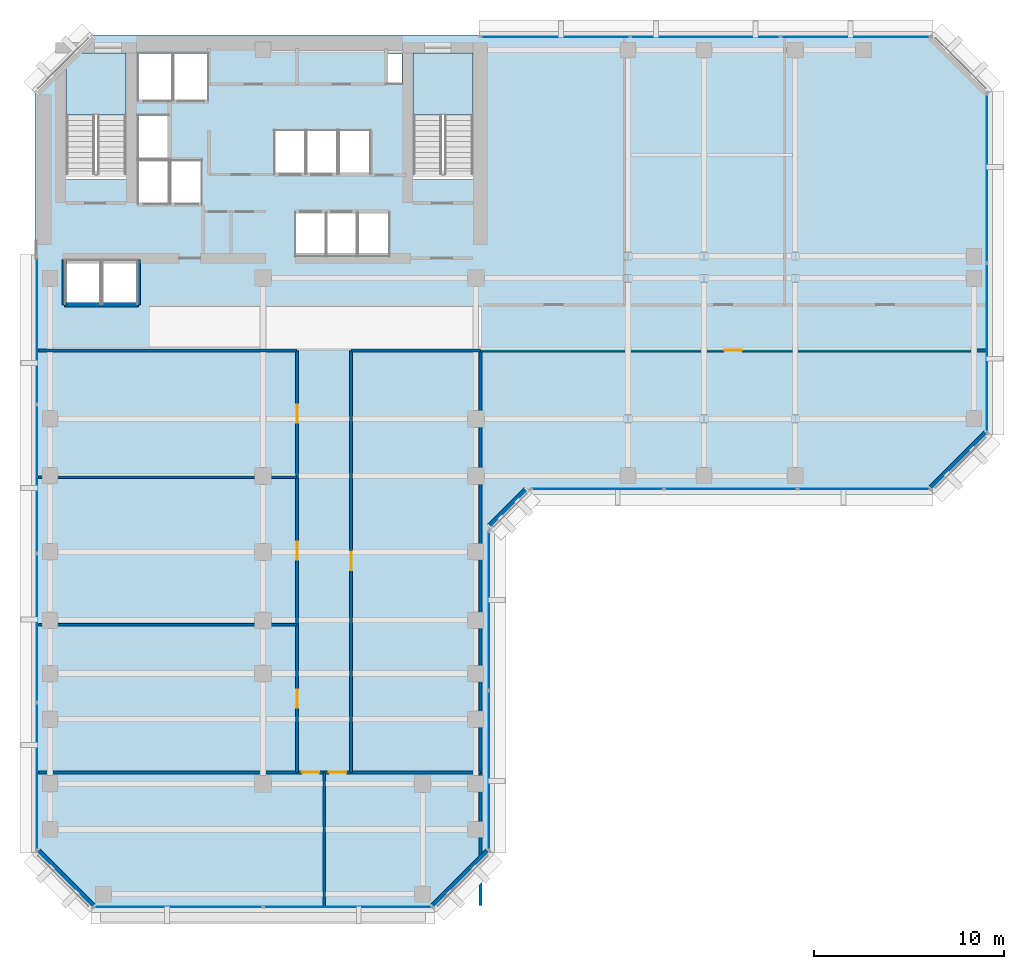
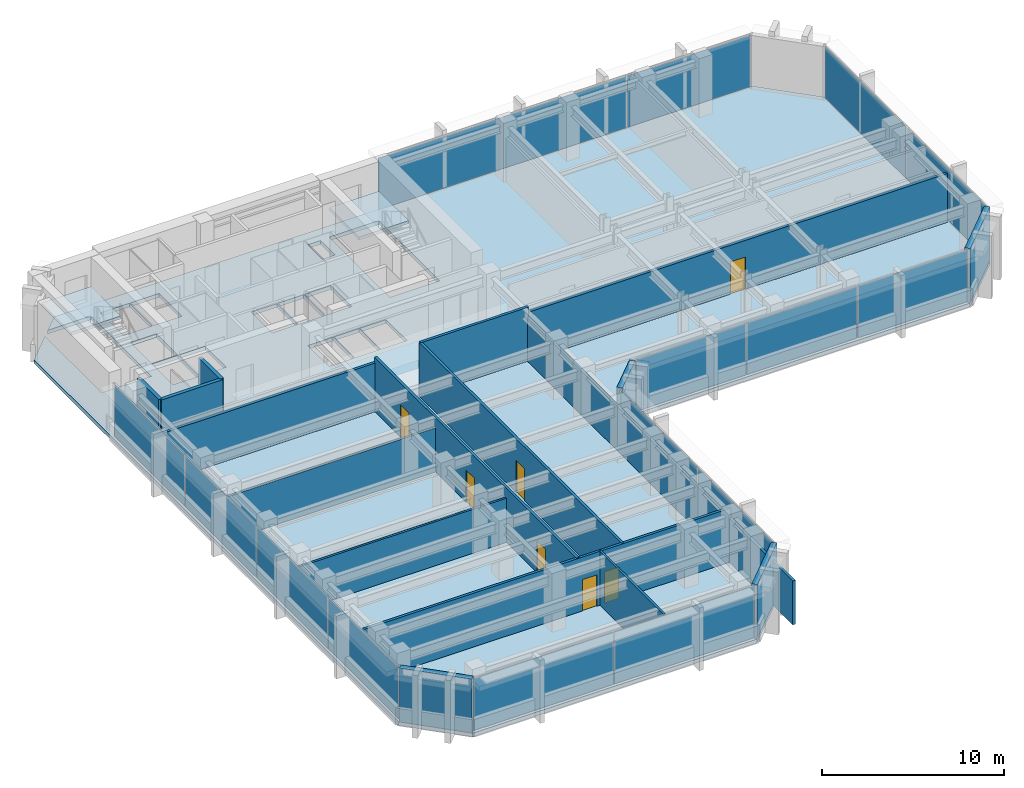
# One storey, part 6 of 11: 17 walls, 16 plates, 7 doors, 3 slabs, 7 openings, 8 elements without a shape of their own.
"""IFC4 building model written with IfcOpenShell, lengths in metres."""

from ifc_helpers import new_model, si_unit, direction, frame, frame_2d, origin, origin_2d, place, context, subcontext, project, spatial, polyline, rectangle, outline, extrude, material, layer, layer_set, type_object, element, fill, aggregate, save


model = new_model("IFC4")

# Units and contexts
model_context = context("Model", 3, precision=1e-05, world=origin(), true_north=direction((0.0, 1.0)))
body_context = subcontext(model_context, "Body", "Model", "MODEL_VIEW")
ifc_project = project(units=[si_unit("LENGTHUNIT", "METRE"), si_unit("AREAUNIT", "SQUARE_METRE"), si_unit("VOLUMEUNIT", "CUBIC_METRE"), si_unit("PLANEANGLEUNIT", "RADIAN"), si_unit("MASSUNIT", "GRAM", prefix="KILO")], contexts=[model_context])

# Site, building, storey
site_placement = place(None, origin())
site = spatial("IfcSite", under=ifc_project, at=site_placement, CompositionType="ELEMENT")
building_placement = place(site_placement, origin())
building = spatial("IfcBuilding", under=site, at=building_placement, Name="Kefirva Bronze Tower", CompositionType="ELEMENT")
storey_placement = place(building_placement, frame((0.0, 0.0, 170.610107421875)))
storey = spatial("IfcBuildingStorey", under=building, at=storey_placement, Name="L41", CompositionType="ELEMENT", Elevation=170.610107421875)

# Stair, slab
ifc_material_1 = material(Name="Concrete C40/50", Category="concrete")
stair_type = type_object("IfcStairType", Name="RC Dogleg Protected Stair 24R", PredefinedType="HALF_TURN_STAIR", material=ifc_material_1)
stair_1_placement = place(storey_placement, origin())
stair_1 = element("IfcStair", 1, at=stair_1_placement, inside=storey, type_object=stair_type, Name="L41 Protected Exit Stair 1", PredefinedType="HALF_TURN_STAIR")
ifc_layer_1 = layer(ifc_material_1, 0.199951171875, Name="Concrete C40/50")
ifc_layer_set_1 = layer_set([ifc_layer_1], Name="Concrete C40/50")
slab_type_1 = type_object("IfcSlabType", Name="RC Stair Landing Slab 200mm", PredefinedType="LANDING", material=ifc_layer_set_1)
slab_1_placement = place(storey_placement, frame((0.0, 0.0, 1.77978515625)))
slab_1 = element("IfcSlab", 2, at=slab_1_placement, type_object=slab_type_1, Name="ST-1 landing 1", PredefinedType="LANDING", context=body_context, shape_type="SweptSolid", body=[
    extrude(outline(polyline([(4.800048828125, 41.780029296875), (4.800048828125, 45.050048828125), (1.64990234375, 45.050048828125), (1.64990234375, 41.780029296875), (4.800048828125, 41.780029296875)])), origin(), (0.0, 0.0, 1.0), 0.2001953125),
])
aggregate(stair_1, [slab_1])

stair_2_placement = place(storey_placement, origin())
stair_2 = element("IfcStair", 3, at=stair_2_placement, inside=storey, type_object=stair_type, Name="L41 Protected Exit Stair 2", PredefinedType="HALF_TURN_STAIR")
slab_2_placement = place(storey_placement, frame((0.0, 0.0, 1.77978515625)))
slab_2 = element("IfcSlab", 4, at=slab_2_placement, type_object=slab_type_1, Name="ST-2 landing 1", PredefinedType="LANDING", context=body_context, shape_type="SweptSolid", body=[
    extrude(outline(polyline([(23.050048828125, 41.780029296875), (23.050048828125, 45.050048828125), (19.89990234375, 45.050048828125), (19.89990234375, 41.780029296875), (23.050048828125, 41.780029296875)])), origin(), (0.0, 0.0, 1.0), 0.2001953125),
])
aggregate(stair_2, [slab_2])

# Slab
ifc_layer_2 = layer(ifc_material_1, 0.25, Name="Concrete C40/50")
ifc_layer_set_2 = layer_set([ifc_layer_2], Name="Concrete C40/50")
slab_type_2 = type_object("IfcSlabType", Name="RC Tower Floor Slab 250mm", PredefinedType="FLOOR", material=ifc_layer_set_2)
slab_3_placement = place(storey_placement, frame((0.0, 0.0, -0.25)))
element("IfcSlab", 5, at=slab_3_placement, inside=storey, type_object=slab_type_2, Name="L41 Structural Floor Slab", PredefinedType="FLOOR", context=body_context, shape_type="SweptSolid", body=[
    extrude(outline(polyline([(0.0, 3.0), (0.0, 43.0), (1.64990234375, 44.64990234375), (1.64990234375, 38.39990234375), (4.800048828125, 38.39990234375), (4.800048828125, 45.050048828125), (2.050048828125, 45.050048828125), (3.0, 46.0), (47.199951171875, 46.0), (50.199951171875, 43.0), (50.199951171875, 25.0), (47.199951171875, 22.0), (26.0, 22.0), (24.0, 20.0), (24.0, 3.0), (21.0, 0.0), (3.0, 0.0), (0.0, 3.0)]), holes=[polyline([(23.050048828125, 38.39990234375), (23.050048828125, 45.050048828125), (19.89990234375, 45.050048828125), (19.89990234375, 38.39990234375), (23.050048828125, 38.39990234375)]), polyline([(19.320068359375, 43.419921875), (19.320068359375, 45.0), (18.52001953125, 45.0), (18.52001953125, 43.419921875), (19.320068359375, 43.419921875)]), polyline([(18.64990234375, 34.35009765625), (18.64990234375, 36.64990234375), (17.0, 36.64990234375), (17.0, 34.35009765625), (18.64990234375, 34.35009765625)]), polyline([(17.64990234375, 38.679931640625), (17.64990234375, 40.97998046875), (16.0, 40.97998046875), (16.0, 38.679931640625), (17.64990234375, 38.679931640625)]), polyline([(16.949951171875, 34.35009765625), (16.949951171875, 36.64990234375), (15.35009765625, 36.64990234375), (15.35009765625, 34.35009765625), (16.949951171875, 34.35009765625)]), polyline([(15.929931640625, 38.679931640625), (15.929931640625, 40.97998046875), (14.300048828125, 40.97998046875), (14.300048828125, 38.679931640625), (15.929931640625, 38.679931640625)]), polyline([(15.300048828125, 34.35009765625), (15.300048828125, 36.64990234375), (13.699951171875, 36.64990234375), (13.699951171875, 34.35009765625), (15.300048828125, 34.35009765625)]), polyline([(14.22998046875, 38.679931640625), (14.22998046875, 40.97998046875), (12.60009765625, 40.97998046875), (12.60009765625, 38.679931640625), (14.22998046875, 38.679931640625)]), polyline([(9.1201171875, 42.550048828125), (9.1201171875, 45.050048828125), (7.300048828125, 45.050048828125), (7.300048828125, 42.550048828125), (9.1201171875, 42.550048828125)]), polyline([(8.780029296875, 37.10009765625), (8.780029296875, 39.39990234375), (7.139892578125, 39.39990234375), (7.139892578125, 37.10009765625), (8.780029296875, 37.10009765625)]), polyline([(7.239990234375, 42.550048828125), (7.239990234375, 45.050048828125), (5.419921875, 45.050048828125), (5.419921875, 42.550048828125), (7.239990234375, 42.550048828125)]), polyline([(7.06005859375, 37.10009765625), (7.06005859375, 39.39990234375), (5.419921875, 39.39990234375), (5.419921875, 37.10009765625), (7.06005859375, 37.10009765625)]), polyline([(7.06005859375, 39.47998046875), (7.06005859375, 41.780029296875), (5.419921875, 41.780029296875), (5.419921875, 39.47998046875), (7.06005859375, 39.47998046875)]), polyline([(5.39990234375, 31.85009765625), (5.39990234375, 34.14990234375), (3.550048828125, 34.14990234375), (3.550048828125, 31.85009765625), (5.39990234375, 31.85009765625)]), polyline([(3.449951171875, 31.85009765625), (3.449951171875, 34.14990234375), (1.60009765625, 34.14990234375), (1.60009765625, 31.85009765625), (3.449951171875, 31.85009765625)])]), origin(), (0.0, 0.0, 1.0), 0.25),
])

# Curtain wall, plates
ifc_material_2 = material(Name="Bronze anodised aluminium", Category="aluminium")
ifc_layer_3 = layer(ifc_material_2, 0.199951171875, Name="Bronze anodised aluminium")
ifc_layer_set_3 = layer_set([ifc_layer_3], Name="Bronze anodised aluminium")
curtain_wall_type = type_object("IfcCurtainWallType", Name="Unitised Bronze Ribbon Curtain Wall Zone 2", PredefinedType="USERDEFINED", material=ifc_layer_set_3)
curtain_wall_1_placement = place(storey_placement, origin())
curtain_wall_1 = element("IfcCurtainWall", 6, at=curtain_wall_1_placement, inside=storey, type_object=curtain_wall_type, Name="L41 Curtain Wall 1", ObjectType="UNITISED CURTAIN WALL", PredefinedType="USERDEFINED")
ifc_material_3 = material(Name="Laminated low-E double glazing", Category="glass")
ifc_layer_4 = layer(ifc_material_3, 0.031982421875, Name="Laminated low-E double glazing")
ifc_layer_set_4 = layer_set([ifc_layer_4], Name="Laminated low-E double glazing")
plate_type = type_object("IfcPlateType", Name="Solar-Control Low-E Vision Panel 32mm", PredefinedType="CURTAIN_PANEL", material=ifc_layer_set_4)
plate_1_placement = place(storey_placement, frame((7.546142578125, 0.1201171875, 0.074951171875), z_axis=(0.0, 0.0, 1.0), x_axis=(1.0, 0.0, 0.0)))
plate_1 = element("IfcPlate", 7, at=plate_1_placement, type_object=plate_type, Name="CW-02 panel 1.1", PredefinedType="CURTAIN_PANEL", context=body_context, shape_type="SweptSolid", body=[
    extrude(rectangle(XDim=8.83251953125, YDim=0.031982421875, at=origin_2d()), origin(), (0.0, 0.0, 1.0), 3.4599609375),
])
plate_2_placement = place(storey_placement, frame((16.453857421875, 0.1201171875, 0.074951171875), z_axis=(0.0, 0.0, 1.0), x_axis=(1.0, 0.0, 0.0)))
plate_2 = element("IfcPlate", 8, at=plate_2_placement, type_object=plate_type, Name="CW-02 panel 2.1", PredefinedType="CURTAIN_PANEL", context=body_context, shape_type="SweptSolid", body=[
    extrude(rectangle(XDim=8.83251953125, YDim=0.031982421875, at=origin_2d()), origin(), (0.0, 0.0, 1.0), 3.4599609375),
])
aggregate(curtain_wall_1, [plate_1, plate_2])

curtain_wall_2_placement = place(storey_placement, origin())
curtain_wall_2 = element("IfcCurtainWall", 9, at=curtain_wall_2_placement, inside=storey, type_object=curtain_wall_type, Name="L41 Curtain Wall 2", ObjectType="UNITISED CURTAIN WALL", PredefinedType="USERDEFINED")
plate_3_placement = place(storey_placement, frame((23.8798828125, 7.296142578125, 0.074951171875), z_axis=(0.0, 0.0, 1.0), x_axis=(0.0, 1.0, 0.0)))
plate_3 = element("IfcPlate", 10, at=plate_3_placement, type_object=plate_type, Name="CW-02 panel 1.1", PredefinedType="CURTAIN_PANEL", context=body_context, shape_type="SweptSolid", body=[
    extrude(rectangle(XDim=8.33251953125, YDim=0.031982421875, at=origin_2d()), origin(), (0.0, 0.0, 1.0), 3.4599609375),
])
plate_4_placement = place(storey_placement, frame((23.8798828125, 15.703857421875, 0.074951171875), z_axis=(0.0, 0.0, 1.0), x_axis=(0.0, 1.0, 0.0)))
plate_4 = element("IfcPlate", 11, at=plate_4_placement, type_object=plate_type, Name="CW-02 panel 2.1", PredefinedType="CURTAIN_PANEL", context=body_context, shape_type="SweptSolid", body=[
    extrude(rectangle(XDim=8.33251953125, YDim=0.031982421875, at=origin_2d()), origin(), (0.0, 0.0, 1.0), 3.4599609375),
])
aggregate(curtain_wall_2, [plate_3, plate_4])

curtain_wall_3_placement = place(storey_placement, origin())
curtain_wall_3 = element("IfcCurtainWall", 12, at=curtain_wall_3_placement, inside=storey, type_object=curtain_wall_type, Name="L41 Curtain Wall 3", ObjectType="UNITISED CURTAIN WALL", PredefinedType="USERDEFINED")
plate_5_placement = place(storey_placement, frame((29.5888671875, 22.1201171875, 0.074951171875), z_axis=(0.0, 0.0, 1.0), x_axis=(1.0, 0.0, 0.0)))
plate_5 = element("IfcPlate", 13, at=plate_5_placement, type_object=plate_type, Name="CW-02 panel 1.1", PredefinedType="CURTAIN_PANEL", context=body_context, shape_type="SweptSolid", body=[
    extrude(rectangle(XDim=6.91748046875, YDim=0.031982421875, at=origin_2d()), origin(), (0.0, 0.0, 1.0), 3.4599609375),
])
plate_6_placement = place(storey_placement, frame((36.60009765625, 22.1201171875, 0.074951171875), z_axis=(0.0, 0.0, 1.0), x_axis=(1.0, 0.0, 0.0)))
plate_6 = element("IfcPlate", 14, at=plate_6_placement, type_object=plate_type, Name="CW-02 panel 2.1", PredefinedType="CURTAIN_PANEL", context=body_context, shape_type="SweptSolid", body=[
    extrude(rectangle(XDim=6.955078125, YDim=0.031982421875, at=origin_2d()), origin(), (0.0, 0.0, 1.0), 3.4599609375),
])
plate_7_placement = place(storey_placement, frame((43.611328125, 22.1201171875, 0.074951171875), z_axis=(0.0, 0.0, 1.0), x_axis=(1.0, 0.0, 0.0)))
plate_7 = element("IfcPlate", 15, at=plate_7_placement, type_object=plate_type, Name="CW-02 panel 3.1", PredefinedType="CURTAIN_PANEL", context=body_context, shape_type="SweptSolid", body=[
    extrude(rectangle(XDim=6.91748046875, YDim=0.031982421875, at=origin_2d()), origin(), (0.0, 0.0, 1.0), 3.4599609375),
])
aggregate(curtain_wall_3, [plate_5, plate_6, plate_7])

curtain_wall_4_placement = place(storey_placement, origin())
curtain_wall_4 = element("IfcCurtainWall", 16, at=curtain_wall_4_placement, inside=storey, type_object=curtain_wall_type, Name="L41 Curtain Wall 4", ObjectType="UNITISED CURTAIN WALL", PredefinedType="USERDEFINED")
plate_8_placement = place(storey_placement, frame((50.080078125, 29.546142578125, 0.074951171875), z_axis=(0.0, 0.0, 1.0), x_axis=(0.0, 1.0, 0.0)))
plate_8 = element("IfcPlate", 17, at=plate_8_placement, type_object=plate_type, Name="CW-02 panel 1.1", PredefinedType="CURTAIN_PANEL", context=body_context, shape_type="SweptSolid", body=[
    extrude(rectangle(XDim=8.83251953125, YDim=0.031982421875, at=origin_2d()), origin(), (0.0, 0.0, 1.0), 3.4599609375),
])
plate_9_placement = place(storey_placement, frame((50.080078125, 38.453857421875, 0.074951171875), z_axis=(0.0, 0.0, 1.0), x_axis=(0.0, 1.0, 0.0)))
plate_9 = element("IfcPlate", 18, at=plate_9_placement, type_object=plate_type, Name="CW-02 panel 2.1", PredefinedType="CURTAIN_PANEL", context=body_context, shape_type="SweptSolid", body=[
    extrude(rectangle(XDim=8.83251953125, YDim=0.031982421875, at=origin_2d()), origin(), (0.0, 0.0, 1.0), 3.4599609375),
])
aggregate(curtain_wall_4, [plate_8, plate_9])

curtain_wall_5_placement = place(storey_placement, origin())
curtain_wall_5 = element("IfcCurtainWall", 19, at=curtain_wall_5_placement, inside=storey, type_object=curtain_wall_type, Name="L41 Curtain Wall 5", ObjectType="UNITISED CURTAIN WALL", PredefinedType="USERDEFINED")
plate_10_placement = place(storey_placement, frame((43.169677734375, 45.8798828125, 0.074951171875), z_axis=(0.0, 0.0, 1.0), x_axis=(-1.0, 0.0, 0.0)))
plate_10 = element("IfcPlate", 20, at=plate_10_placement, type_object=plate_type, Name="CW-02 panel 1.1", PredefinedType="CURTAIN_PANEL", context=body_context, shape_type="SweptSolid", body=[
    extrude(rectangle(XDim=7.80078125, YDim=0.031982421875, at=origin_2d()), origin(), (0.0, 0.0, 1.0), 3.4599609375),
])
plate_11_placement = place(storey_placement, frame((35.27490234375, 45.8798828125, 0.074951171875), z_axis=(0.0, 0.0, 1.0), x_axis=(-1.0, 0.0, 0.0)))
plate_11 = element("IfcPlate", 21, at=plate_11_placement, type_object=plate_type, Name="CW-02 panel 2.1", PredefinedType="CURTAIN_PANEL", context=body_context, shape_type="SweptSolid", body=[
    extrude(rectangle(XDim=7.83837890625, YDim=0.031982421875, at=origin_2d()), origin(), (0.0, 0.0, 1.0), 3.4599609375),
])
plate_12_placement = place(storey_placement, frame((27.38037109375, 45.8798828125, 0.074951171875), z_axis=(0.0, 0.0, 1.0), x_axis=(-1.0, 0.0, 0.0)))
plate_12 = element("IfcPlate", 22, at=plate_12_placement, type_object=plate_type, Name="CW-02 panel 3.1", PredefinedType="CURTAIN_PANEL", context=body_context, shape_type="SweptSolid", body=[
    extrude(rectangle(XDim=7.80078125, YDim=0.031982421875, at=origin_2d()), origin(), (0.0, 0.0, 1.0), 3.4599609375),
])
aggregate(curtain_wall_5, [plate_10, plate_11, plate_12])

curtain_wall_6_placement = place(storey_placement, origin())
curtain_wall_6 = element("IfcCurtainWall", 23, at=curtain_wall_6_placement, inside=storey, type_object=curtain_wall_type, Name="L41 Curtain Wall 6", ObjectType="UNITISED CURTAIN WALL", PredefinedType="USERDEFINED")
plate_13_placement = place(storey_placement, frame((0.1201171875, 30.458740234375, 0.074951171875), z_axis=(0.0, 0.0, 1.0), x_axis=(0.0, -1.0, 0.0)))
plate_13 = element("IfcPlate", 24, at=plate_13_placement, type_object=plate_type, Name="CW-02 panel 1.1", PredefinedType="CURTAIN_PANEL", context=body_context, shape_type="SweptSolid", body=[
    extrude(rectangle(XDim=7.722412109375, YDim=0.031982421875, at=origin_2d()), origin(), (0.0, 0.0, 1.0), 3.4599609375),
])
plate_14_placement = place(storey_placement, frame((0.1201171875, 22.642578125, 0.074951171875), z_axis=(0.0, 0.0, 1.0), x_axis=(0.0, -1.0, 0.0)))
plate_14 = element("IfcPlate", 25, at=plate_14_placement, type_object=plate_type, Name="CW-02 panel 2.1", PredefinedType="CURTAIN_PANEL", context=body_context, shape_type="SweptSolid", body=[
    extrude(rectangle(XDim=7.760009765625, YDim=0.031982421875, at=origin_2d()), origin(), (0.0, 0.0, 1.0), 3.4599609375),
])
plate_15_placement = place(storey_placement, frame((0.1201171875, 14.8076171875, 0.074951171875), z_axis=(0.0, 0.0, 1.0), x_axis=(0.0, -1.0, 0.0)))
plate_15 = element("IfcPlate", 26, at=plate_15_placement, type_object=plate_type, Name="CW-02 panel 3.1", PredefinedType="CURTAIN_PANEL", context=body_context, shape_type="SweptSolid", body=[
    extrude(rectangle(XDim=7.760009765625, YDim=0.031982421875, at=origin_2d()), origin(), (0.0, 0.0, 1.0), 3.4599609375),
])
plate_16_placement = place(storey_placement, frame((0.1201171875, 6.9912109375, 0.074951171875), z_axis=(0.0, 0.0, 1.0), x_axis=(0.0, -1.0, 0.0)))
plate_16 = element("IfcPlate", 27, at=plate_16_placement, type_object=plate_type, Name="CW-02 panel 4.1", PredefinedType="CURTAIN_PANEL", context=body_context, shape_type="SweptSolid", body=[
    extrude(rectangle(XDim=7.722412109375, YDim=0.031982421875, at=origin_2d()), origin(), (0.0, 0.0, 1.0), 3.4599609375),
])
aggregate(curtain_wall_6, [plate_13, plate_14, plate_15, plate_16])

# Walls
ifc_material_4 = material(Name="Gypsum acoustic partition")
ifc_layer_5 = layer(ifc_material_4, 0.1298828125, Name="Gypsum acoustic partition")
ifc_layer_set_5 = layer_set([ifc_layer_5], Name="Gypsum acoustic partition")
wall_type_1 = type_object("IfcWallType", Name="Acoustic Office Partition 130mm", PredefinedType="PARTITIONING", material=ifc_layer_set_5)
wall_1_placement = place(storey_placement, frame((15.219970703125, 0.18994140625, 0.0), z_axis=(0.0, 0.0, 1.0), x_axis=(0.0, 1.0, 0.0)))
element("IfcWall", 28, at=wall_1_placement, inside=storey, type_object=wall_type_1, Name="L41 Partition W-L41-CAPDV", PredefinedType="PARTITIONING", context=body_context, shape_type="SweptSolid", body=[
    extrude(rectangle(XDim=7.010009765625, YDim=0.1298828125, at=frame_2d((3.5048828125, 0.0))), origin(), (0.0, 0.0, 1.0), 3.60986328125),
])
for number, where, z_axis, x_axis, name in (
    (29, (0.18994140625, 14.969970703125, 0.0), (0.0, 0.0, 1.0), (1.0, 0.0, 0.0), "L41 Partition W-L41-SWD1"),
    (30, (0.18994140625, 22.739990234375, 0.0), (0.0, 0.0, 1.0), (1.0, 0.0, 0.0), "L41 Partition W-L41-SWD2"),
):
    element("IfcWall", number, at=place(storey_placement, frame(where, z_axis=z_axis, x_axis=x_axis)), inside=storey, type_object=wall_type_1, Name=name, PredefinedType="PARTITIONING", context=body_context, shape_type="SweptSolid", body=[
        extrude(rectangle(XDim=13.610107421875, YDim=0.1298828125, at=frame_2d((6.80517578125, 0.0))), origin(), (0.0, 0.0, 1.0), 2.94482421875),
    ])
ifc_material_5 = material(Name="Gypsum fireboard shaftwall")
ifc_layer_6 = layer(ifc_material_5, 0.219970703125, Name="Gypsum fireboard shaftwall")
ifc_layer_set_6 = layer_set([ifc_layer_6], Name="Gypsum fireboard shaftwall")
wall_type_2 = type_object("IfcWallType", Name="Fire-Rated Shaft Enclosure Wall 220mm", PredefinedType="PARTITIONING", material=ifc_layer_set_6)
wall_2_placement = place(storey_placement, frame((1.550048828125, 31.800048828125, 0.0), z_axis=(0.0, 0.0, 1.0), x_axis=(1.0, 0.0, 0.0)))
element("IfcWall", 31, at=wall_2_placement, inside=storey, type_object=wall_type_2, Name="L41 Partition W-L41-OBS", PredefinedType="PARTITIONING", context=body_context, shape_type="SweptSolid", body=[
    extrude(rectangle(XDim=3.89990234375, YDim=0.219970703125, at=frame_2d((1.949951171875, 0.0))), origin(), (0.0, 0.0, 1.0), 3.60986328125),
])
for number, where, z_axis, x_axis, name in (
    (32, (1.550048828125, 31.800048828125, 0.0), (0.0, 0.0, 1.0), (0.0, 1.0, 0.0), "L41 Partition W-L41-OBW"),
    (33, (5.449951171875, 31.800048828125, 0.0), (0.0, 0.0, 1.0), (0.0, 1.0, 0.0), "L41 Partition W-L41-OBE"),
):
    element("IfcWall", number, at=place(storey_placement, frame(where, z_axis=z_axis, x_axis=x_axis)), inside=storey, type_object=wall_type_2, Name=name, PredefinedType="PARTITIONING", context=body_context, shape_type="SweptSolid", body=[
        extrude(rectangle(XDim=2.3798828125, YDim=0.219970703125, at=frame_2d((1.18994140625, 0.0))), origin(), (0.0, 0.0, 1.0), 3.60986328125),
    ])
ifc_material_6 = material(Name="Precast concrete C40/50", Category="concrete")
ifc_layer_7 = layer(ifc_material_6, 0.320068359375, Name="Precast concrete C40/50")
ifc_layer_set_7 = layer_set([ifc_layer_7], Name="Precast concrete C40/50")
wall_type_3 = type_object("IfcWallType", Name="Precast Insulated Exterior Wall 320mm", PredefinedType="SOLIDWALL", material=ifc_layer_set_7)
wall_3_placement = place(storey_placement, frame((20.92578125, 0.152099609375, 0.0), z_axis=(0.0, 0.0, 1.0), x_axis=(0.707106781187, 0.707106781187, 0.0)))
element("IfcWall", 34, at=wall_3_placement, inside=storey, type_object=wall_type_3, Name="L41 Exterior Facade Wall 1", PredefinedType="SOLIDWALL", context=body_context, shape_type="SweptSolid", body=[
    extrude(rectangle(XDim=4.132568359375, YDim=0.320068359375, at=frame_2d((2.06640625, 0.0))), origin(), (0.0, 0.0, 1.0), 3.60986328125),
])
wall_4_placement = place(storey_placement, frame((23.92578125, 20.152099609375, 0.0), z_axis=(0.0, 0.0, 1.0), x_axis=(0.707106781187, 0.707106781187, 0.0)))
element("IfcWall", 35, at=wall_4_placement, inside=storey, type_object=wall_type_3, Name="L41 Exterior Facade Wall 2", PredefinedType="SOLIDWALL", context=body_context, shape_type="SweptSolid", body=[
    extrude(rectangle(XDim=2.71826171875, YDim=0.320068359375, at=frame_2d((1.359130859375, 0.0))), origin(), (0.0, 0.0, 1.0), 3.60986328125),
])
for number, where, z_axis, x_axis, name in (
    (36, (47.125732421875, 22.152099609375, 0.0), (0.0, 0.0, 1.0), (0.707136318428, 0.707077242712, 0.0), "L41 Exterior Facade Wall 3"),
    (37, (0.152099609375, 3.07421875, 0.0), (0.0, 0.0, 1.0), (0.707106781187, -0.707106781187, 0.0), "L41 Exterior Facade Wall 6"),
):
    element("IfcWall", number, at=place(storey_placement, frame(where, z_axis=z_axis, x_axis=x_axis)), inside=storey, type_object=wall_type_3, Name=name, PredefinedType="SOLIDWALL", context=body_context, shape_type="SweptSolid", body=[
        extrude(rectangle(XDim=4.132568359375, YDim=0.320068359375, at=frame_2d((2.06640625, 0.0))), origin(), (0.0, 0.0, 1.0), 3.60986328125),
    ])

# Wall, openings, doors
ifc_layer_8 = layer(ifc_material_4, 0.159912109375, Name="Gypsum acoustic partition")
ifc_layer_set_8 = layer_set([ifc_layer_8], Name="Gypsum acoustic partition")
wall_type_4 = type_object("IfcWallType", Name="Protected Corridor Partition 160mm", PredefinedType="PARTITIONING", material=ifc_layer_set_8)
wall_5_placement = place(storey_placement, frame((13.800048828125, 7.199951171875, 0.0), z_axis=(0.0, 0.0, 1.0), x_axis=(0.0, 1.0, 0.0)))
wall_5 = element("IfcWall", 38, at=wall_5_placement, inside=storey, type_object=wall_type_4, Name="L41 Partition W-L41-SWCORW", PredefinedType="PARTITIONING", context=body_context, shape_type="SweptSolid", body=[
    extrude(rectangle(XDim=22.199951171875, YDim=0.159912109375, at=frame_2d((11.10009765625, 0.0))), origin(), (0.0, 0.0, 1.0), 3.60986328125),
])
opening_1_placement = place(wall_5_placement, frame((4.35986328125, 0.0, 0.0), z_axis=(0.0, 0.0, 1.0), x_axis=(-1.0, 0.0, 0.0)))
opening_1 = element("IfcOpeningElement", 39, at=opening_1_placement, cuts=wall_5, Name="Opening L41-D-SW1", PredefinedType="OPENING", context=body_context, shape_type="SweptSolid", body=[
    extrude(rectangle(XDim=0.949951171875, YDim=2.14990234375, at=frame_2d((0.47509765625, 1.074951171875))), frame((0.0, 0.08984375, 0.0), z_axis=(0.0, -1.0, 0.0), x_axis=(1.0, 0.0, 0.0)), (0.0, 0.0, 1.0), 0.179931640625),
])
opening_2_placement = place(wall_5_placement, frame((12.1298828125, 0.0, 0.0), z_axis=(0.0, 0.0, 1.0), x_axis=(-1.0, 0.0, 0.0)))
opening_2 = element("IfcOpeningElement", 40, at=opening_2_placement, cuts=wall_5, Name="Opening L41-D-SW2", PredefinedType="OPENING", context=body_context, shape_type="SweptSolid", body=[
    extrude(rectangle(XDim=0.949951171875, YDim=2.14990234375, at=frame_2d((0.47509765625, 1.074951171875))), frame((0.0, 0.08984375, 0.0), z_axis=(0.0, -1.0, 0.0), x_axis=(1.0, 0.0, 0.0)), (0.0, 0.0, 1.0), 0.179931640625),
])
opening_3_placement = place(wall_5_placement, frame((19.344970703125, 0.0, 0.0), z_axis=(0.0, 0.0, 1.0), x_axis=(-1.0, 0.0, 0.0)))
opening_3 = element("IfcOpeningElement", 41, at=opening_3_placement, cuts=wall_5, Name="Opening L41-D-SW3", PredefinedType="OPENING", context=body_context, shape_type="SweptSolid", body=[
    extrude(rectangle(XDim=0.949951171875, YDim=2.14990234375, at=frame_2d((0.47509765625, 1.074951171875))), frame((0.0, 0.08984375, 0.0), z_axis=(0.0, -1.0, 0.0), x_axis=(1.0, 0.0, 0.0)), (0.0, 0.0, 1.0), 0.179931640625),
])
ifc_material_7 = material(Name="Acoustic hardwood oak", Category="wood")
door_type_1 = type_object("IfcDoorType", Name="Office & Meeting Room Door 950x2150", OperationType="NOTDEFINED", PredefinedType="DOOR", material=ifc_material_7)
door_1_placement = place(opening_1_placement, origin())
door_1 = element("IfcDoor", 42, at=door_1_placement, inside=storey, type_object=door_type_1, Name="Door L41-D-SW1", OperationType="SINGLE_SWING_LEFT", OverallHeight=2.14990234375, OverallWidth=0.949951171875, PredefinedType="DOOR", context=body_context, shape_type="SweptSolid", body=[
    extrude(rectangle(XDim=0.949951171875, YDim=2.14990234375, at=frame_2d((0.47509765625, 1.074951171875))), frame((0.0, 0.02490234375, 0.0), z_axis=(0.0, -1.0, 0.0), x_axis=(1.0, 0.0, 0.0)), (0.0, 0.0, 1.0), 0.050048828125),
])
fill(opening_1, door_1)
door_2_placement = place(opening_2_placement, origin())
door_2 = element("IfcDoor", 43, at=door_2_placement, inside=storey, type_object=door_type_1, Name="Door L41-D-SW2", OperationType="SINGLE_SWING_RIGHT", OverallHeight=2.14990234375, OverallWidth=0.949951171875, PredefinedType="DOOR", context=body_context, shape_type="SweptSolid", body=[
    extrude(rectangle(XDim=0.949951171875, YDim=2.14990234375, at=frame_2d((0.47509765625, 1.074951171875))), frame((0.0, 0.02490234375, 0.0), z_axis=(0.0, -1.0, 0.0), x_axis=(1.0, 0.0, 0.0)), (0.0, 0.0, 1.0), 0.050048828125),
])
fill(opening_2, door_2)
door_3_placement = place(opening_3_placement, origin())
door_3 = element("IfcDoor", 44, at=door_3_placement, inside=storey, type_object=door_type_1, Name="Door L41-D-SW3", OperationType="SINGLE_SWING_LEFT", OverallHeight=2.14990234375, OverallWidth=0.949951171875, PredefinedType="DOOR", context=body_context, shape_type="SweptSolid", body=[
    extrude(rectangle(XDim=0.949951171875, YDim=2.14990234375, at=frame_2d((0.47509765625, 1.074951171875))), frame((0.0, 0.02490234375, 0.0), z_axis=(0.0, -1.0, 0.0), x_axis=(1.0, 0.0, 0.0)), (0.0, 0.0, 1.0), 0.050048828125),
])
fill(opening_3, door_3)

# Wall, opening, door
wall_6_placement = place(storey_placement, frame((16.639892578125, 7.199951171875, 0.0), z_axis=(0.0, 0.0, 1.0), x_axis=(0.0, 1.0, 0.0)))
wall_6 = element("IfcWall", 45, at=wall_6_placement, inside=storey, type_object=wall_type_4, Name="L41 Partition W-L41-SECORE", PredefinedType="PARTITIONING", context=body_context, shape_type="SweptSolid", body=[
    extrude(rectangle(XDim=22.199951171875, YDim=0.159912109375, at=frame_2d((11.10009765625, 0.0))), origin(), (0.0, 0.0, 1.0), 3.60986328125),
])
opening_4_placement = place(wall_6_placement, frame((10.625, 0.0, 0.0)))
opening_4 = element("IfcOpeningElement", 46, at=opening_4_placement, cuts=wall_6, Name="Opening L41-D-SE1", PredefinedType="OPENING", context=body_context, shape_type="SweptSolid", body=[
    extrude(rectangle(XDim=0.949951171875, YDim=2.14990234375, at=frame_2d((0.47509765625, 1.074951171875))), frame((0.0, 0.08984375, 0.0), z_axis=(0.0, -1.0, 0.0), x_axis=(1.0, 0.0, 0.0)), (0.0, 0.0, 1.0), 0.179931640625),
])
door_4_placement = place(opening_4_placement, origin())
door_4 = element("IfcDoor", 47, at=door_4_placement, inside=storey, type_object=door_type_1, Name="Door L41-D-SE1", OperationType="SINGLE_SWING_RIGHT", OverallHeight=2.14990234375, OverallWidth=0.949951171875, PredefinedType="DOOR", context=body_context, shape_type="SweptSolid", body=[
    extrude(rectangle(XDim=0.949951171875, YDim=2.14990234375, at=frame_2d((0.47509765625, 1.074951171875))), frame((0.0, 0.02490234375, 0.0), z_axis=(0.0, -1.0, 0.0), x_axis=(1.0, 0.0, 0.0)), (0.0, 0.0, 1.0), 0.050048828125),
])
fill(opening_4, door_4)

# Wall, openings, doors
wall_7_placement = place(storey_placement, frame((0.18994140625, 7.199951171875, 0.0), z_axis=(0.0, 0.0, 1.0), x_axis=(1.0, 0.0, 0.0)))
wall_7 = element("IfcWall", 48, at=wall_7_placement, inside=storey, type_object=wall_type_4, Name="L41 Partition W-L41-SBEND", PredefinedType="PARTITIONING", context=body_context, shape_type="SweptSolid", body=[
    extrude(rectangle(XDim=23.260009765625, YDim=0.159912109375, at=frame_2d((11.6298828125, 0.0))), origin(), (0.0, 0.0, 1.0), 3.60986328125),
])
opening_5_placement = place(wall_7_placement, frame((13.860107421875, 0.0, 0.0)))
opening_5 = element("IfcOpeningElement", 49, at=opening_5_placement, cuts=wall_7, Name="Opening L41-D-SEND1", PredefinedType="OPENING", context=body_context, shape_type="SweptSolid", body=[
    extrude(rectangle(XDim=0.919921875, YDim=2.10009765625, at=frame_2d((0.4599609375, 1.050048828125))), frame((0.0, 0.08984375, 0.0), z_axis=(0.0, -1.0, 0.0), x_axis=(1.0, 0.0, 0.0)), (0.0, 0.0, 1.0), 0.179931640625),
])
opening_6_placement = place(wall_7_placement, frame((15.280029296875, 0.0, 0.0)))
opening_6 = element("IfcOpeningElement", 50, at=opening_6_placement, cuts=wall_7, Name="Opening L41-D-SEND2", PredefinedType="OPENING", context=body_context, shape_type="SweptSolid", body=[
    extrude(rectangle(XDim=0.919921875, YDim=2.10009765625, at=frame_2d((0.4599609375, 1.050048828125))), frame((0.0, 0.08984375, 0.0), z_axis=(0.0, -1.0, 0.0), x_axis=(1.0, 0.0, 0.0)), (0.0, 0.0, 1.0), 0.179931640625),
])
ifc_material_8 = material(Name="Moisture-resistant timber", Category="wood")
door_type_2 = type_object("IfcDoorType", Name="Accessible Sanitary & WC Door 920x2100", OperationType="NOTDEFINED", PredefinedType="DOOR", material=ifc_material_8)
door_5_placement = place(opening_5_placement, origin())
door_5 = element("IfcDoor", 51, at=door_5_placement, inside=storey, type_object=door_type_2, Name="Door L41-D-SEND1", OperationType="SINGLE_SWING_LEFT", OverallHeight=2.10009765625, OverallWidth=0.919921875, PredefinedType="DOOR", context=body_context, shape_type="SweptSolid", body=[
    extrude(rectangle(XDim=0.919921875, YDim=2.10009765625, at=frame_2d((0.4599609375, 1.050048828125))), frame((0.0, 0.02490234375, 0.0), z_axis=(0.0, -1.0, 0.0), x_axis=(1.0, 0.0, 0.0)), (0.0, 0.0, 1.0), 0.050048828125),
])
fill(opening_5, door_5)
door_6_placement = place(opening_6_placement, origin())
door_6 = element("IfcDoor", 52, at=door_6_placement, inside=storey, type_object=door_type_2, Name="Door L41-D-SEND2", OperationType="SINGLE_SWING_RIGHT", OverallHeight=2.10009765625, OverallWidth=0.919921875, PredefinedType="DOOR", context=body_context, shape_type="SweptSolid", body=[
    extrude(rectangle(XDim=0.919921875, YDim=2.10009765625, at=frame_2d((0.4599609375, 1.050048828125))), frame((0.0, 0.02490234375, 0.0), z_axis=(0.0, -1.0, 0.0), x_axis=(1.0, 0.0, 0.0)), (0.0, 0.0, 1.0), 0.050048828125),
])
fill(opening_6, door_6)

# Walls
wall_8_placement = place(storey_placement, frame((0.18994140625, 29.39990234375, 0.0), z_axis=(0.0, 0.0, 1.0), x_axis=(1.0, 0.0, 0.0)))
element("IfcWall", 53, at=wall_8_placement, inside=storey, type_object=wall_type_4, Name="L41 Partition W-L41-NWT", PredefinedType="PARTITIONING", context=body_context, shape_type="SweptSolid", body=[
    extrude(rectangle(XDim=13.610107421875, YDim=0.159912109375, at=frame_2d((6.80517578125, 0.0))), origin(), (0.0, 0.0, 1.0), 3.264892578125),
])
wall_9_placement = place(storey_placement, frame((16.639892578125, 29.39990234375, 0.0), z_axis=(0.0, 0.0, 1.0), x_axis=(1.0, 0.0, 0.0)))
element("IfcWall", 54, at=wall_9_placement, inside=storey, type_object=wall_type_4, Name="L41 Partition W-L41-NET", PredefinedType="PARTITIONING", context=body_context, shape_type="SweptSolid", body=[
    extrude(rectangle(XDim=6.81005859375, YDim=0.159912109375, at=frame_2d((3.405029296875, 0.0))), origin(), (0.0, 0.0, 1.0), 3.60986328125),
])
wall_10_placement = place(storey_placement, frame((23.449951171875, 0.18994140625, 0.0), z_axis=(0.0, 0.0, 1.0), x_axis=(0.0, 1.0, 0.0)))
element("IfcWall", 55, at=wall_10_placement, inside=storey, type_object=wall_type_4, Name="L41 Partition W-L41-SWEAST", PredefinedType="PARTITIONING", context=body_context, shape_type="SweptSolid", body=[
    extrude(rectangle(XDim=29.2099609375, YDim=0.159912109375, at=frame_2d((14.60498046875, 0.0))), origin(), (0.0, 0.0, 1.0), 2.94482421875),
])

# Wall, opening, door
wall_11_placement = place(storey_placement, frame((23.449951171875, 29.39990234375, 0.0), z_axis=(0.0, 0.0, 1.0), x_axis=(1.0, 0.0, 0.0)))
wall_11 = element("IfcWall", 56, at=wall_11_placement, inside=storey, type_object=wall_type_4, Name="L41 Partition W-L41-EWS", PredefinedType="PARTITIONING", context=body_context, shape_type="SweptSolid", body=[
    extrude(rectangle(XDim=26.56005859375, YDim=0.159912109375, at=frame_2d((13.280029296875, 0.0))), origin(), (0.0, 0.0, 1.0), 3.264892578125),
])
opening_7_placement = place(wall_11_placement, frame((13.7548828125, 0.0, 0.0), z_axis=(0.0, 0.0, 1.0), x_axis=(-1.0, 0.0, 0.0)))
opening_7 = element("IfcOpeningElement", 57, at=opening_7_placement, cuts=wall_11, Name="Opening L41-D-ES1", PredefinedType="OPENING", context=body_context, shape_type="SweptSolid", body=[
    extrude(rectangle(XDim=0.949951171875, YDim=2.14990234375, at=frame_2d((0.47509765625, 1.074951171875))), frame((0.0, 0.08984375, 0.0), z_axis=(0.0, -1.0, 0.0), x_axis=(1.0, 0.0, 0.0)), (0.0, 0.0, 1.0), 0.179931640625),
])
door_7_placement = place(opening_7_placement, origin())
door_7 = element("IfcDoor", 58, at=door_7_placement, inside=storey, type_object=door_type_1, Name="Door L41-D-ES1", OperationType="SINGLE_SWING_LEFT", OverallHeight=2.14990234375, OverallWidth=0.949951171875, PredefinedType="DOOR", context=body_context, shape_type="SweptSolid", body=[
    extrude(rectangle(XDim=0.949951171875, YDim=2.14990234375, at=frame_2d((0.47509765625, 1.074951171875))), frame((0.0, 0.02490234375, 0.0), z_axis=(0.0, -1.0, 0.0), x_axis=(1.0, 0.0, 0.0)), (0.0, 0.0, 1.0), 0.050048828125),
])
fill(opening_7, door_7)

save(model, "model.ifc")
